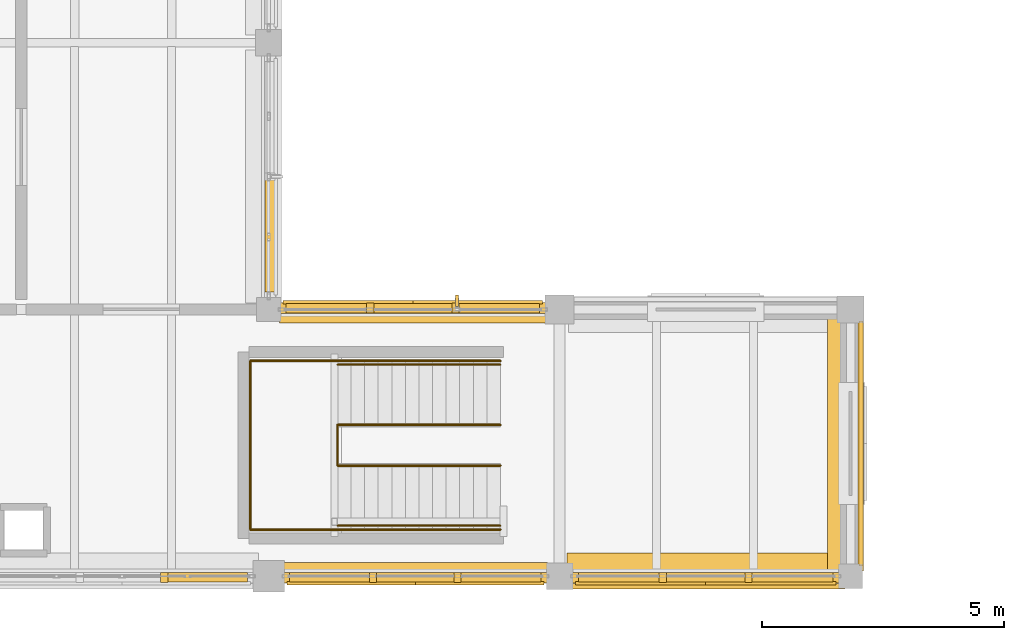
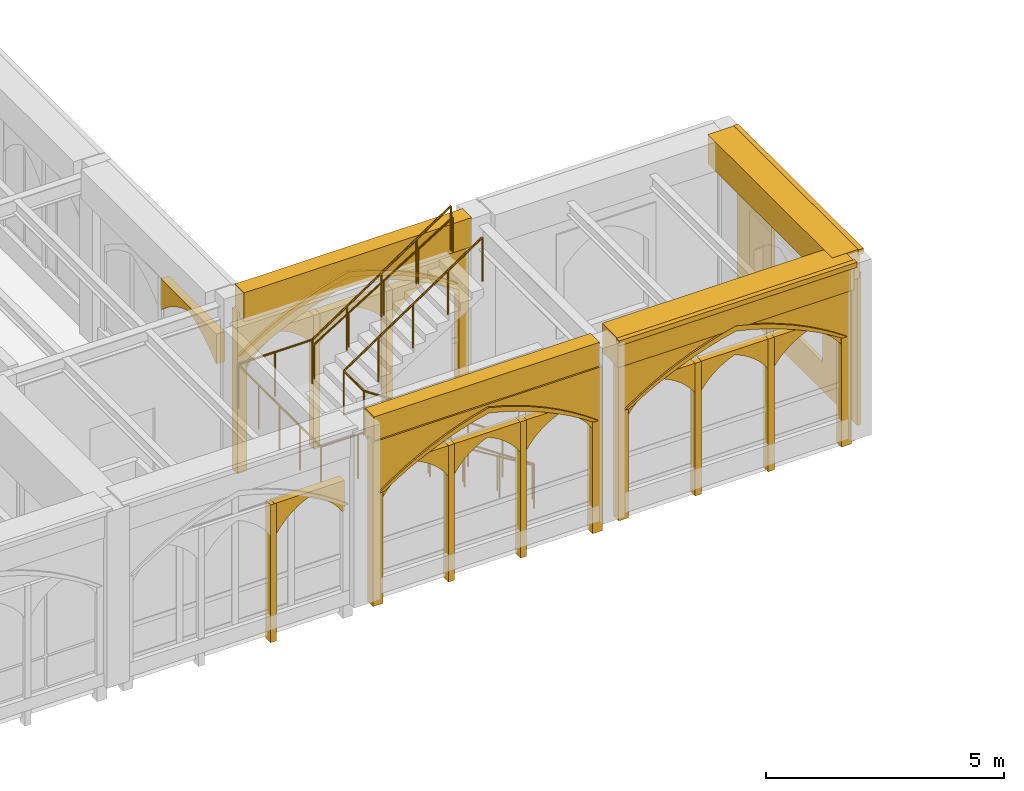
# One storey, part 107 of 127: 31 coverings, 6 railings, 1 shading device.
"""IFC4 building model written with IfcOpenShell, lengths in metres."""

from ifc_helpers import new_model, si_unit, direction, frame, origin, origin_2d, place, context, subcontext, project, spatial, polyline, rectangle, circle, outline, extrude, material, type_object, element, save


model = new_model("IFC4")

# Units and contexts
model_context = context("Model", 3, precision=1e-05, world=origin(), true_north=direction((0.0, 1.0)))
body_context = subcontext(model_context, "Body", "Model", "MODEL_VIEW")
ifc_project = project(units=[si_unit("LENGTHUNIT", "METRE"), si_unit("AREAUNIT", "SQUARE_METRE"), si_unit("VOLUMEUNIT", "CUBIC_METRE"), si_unit("PLANEANGLEUNIT", "RADIAN"), si_unit("MASSUNIT", "GRAM", prefix="KILO")], contexts=[model_context])

# Site, building, storey
site_placement = place(None, origin())
site = spatial("IfcSite", under=ifc_project, at=site_placement, CompositionType="ELEMENT")
building_placement = place(site_placement, origin())
building = spatial("IfcBuilding", under=site, at=building_placement, Name="Cumevento Cable Car Station", CompositionType="ELEMENT")
storey_placement = place(building_placement, frame((0.0, 0.0, 4.5)))
storey = spatial("IfcBuildingStorey", under=building, at=storey_placement, Name="L02", CompositionType="ELEMENT", Elevation=4.5)

# Railings
ifc_material_1 = material(Name="Painted Galvanised Architectural Steel", Category="steel")
railing_type_1 = type_object("IfcRailingType", Name="Stair Guardrail GR-S115", PredefinedType="GUARDRAIL", material=ifc_material_1)
railing_1_placement = place(storey_placement, frame((74.780029296875, 6.280029296875, 0.0)))
element("IfcRailing", 1, at=railing_1_placement, inside=storey, type_object=railing_type_1, Name="Stair Well Inner Guardrail ST-08", PredefinedType="GUARDRAIL", context=body_context, shape_type="SweptSolid", body=[
    extrude(circle(Radius=0.02392578125, at=origin_2d()), frame((0.0, 0.0, 1.1259765625), z_axis=(-0.830915400975, 0.0, 0.556398774641), x_axis=(0.0, -1.0, 0.0)), (0.0, 0.0, 1.0), 4.0439453125),
    extrude(circle(Radius=0.02392578125, at=origin_2d()), frame((-3.360107421875, 0.0, 3.3759765625), z_axis=(0.0, 1.0, 0.0), x_axis=(-1.0, 0.0, 0.0)), (0.0, 0.0, 1.0), 0.840087890625),
    extrude(circle(Radius=0.02392578125, at=origin_2d()), frame((-3.360107421875, 0.840087890625, 3.3759765625), z_axis=(0.830915400975, 0.0, 0.556398774641), x_axis=(0.0, 1.0, 0.0)), (0.0, 0.0, 1.0), 4.0439453125),
    extrude(circle(Radius=0.02001953125, at=origin_2d()), origin(), (0.0, 0.0, 1.0), 1.101806640625),
    extrude(circle(Radius=0.02001953125, at=origin_2d()), frame((-0.840087890625, 0.0, 0.5625)), (0.0, 0.0, 1.0), 1.101806640625),
    extrude(circle(Radius=0.02001953125, at=origin_2d()), frame((-1.68017578125, 0.0, 1.125)), (0.0, 0.0, 1.0), 1.101806640625),
    extrude(circle(Radius=0.02001953125, at=origin_2d()), frame((-2.52001953125, 0.0, 1.6875)), (0.0, 0.0, 1.0), 1.101806640625),
    extrude(circle(Radius=0.02001953125, at=origin_2d()), frame((-3.360107421875, 0.0, 2.25)), (0.0, 0.0, 1.0), 1.101806640625),
    extrude(circle(Radius=0.02001953125, at=origin_2d()), frame((-3.360107421875, 0.840087890625, 2.25)), (0.0, 0.0, 1.0), 1.101806640625),
    extrude(circle(Radius=0.02001953125, at=origin_2d()), frame((-2.52001953125, 0.840087890625, 2.8125)), (0.0, 0.0, 1.0), 1.101806640625),
    extrude(circle(Radius=0.02001953125, at=origin_2d()), frame((-1.68017578125, 0.840087890625, 3.375)), (0.0, 0.0, 1.0), 1.101806640625),
    extrude(circle(Radius=0.02001953125, at=origin_2d()), frame((-0.840087890625, 0.840087890625, 3.9375)), (0.0, 0.0, 1.0), 1.101806640625),
    extrude(circle(Radius=0.02001953125, at=origin_2d()), frame((0.0, 0.840087890625, 4.5)), (0.0, 0.0, 1.0), 1.101806640625),
])
railing_2_placement = place(storey_placement, frame((71.419921875, 4.9599609375, 2.25)))
element("IfcRailing", 2, at=railing_2_placement, inside=storey, type_object=railing_type_1, Name="Stair Half-Landing Guardrail ST-08", PredefinedType="GUARDRAIL", context=body_context, shape_type="SweptSolid", body=[
    extrude(circle(Radius=0.02392578125, at=origin_2d()), frame((0.0, 0.0, 1.1259765625), z_axis=(-1.0, 0.0, 0.0), x_axis=(0.0, -1.0, 0.0)), (0.0, 0.0, 1.0), 1.7998046875),
    extrude(circle(Radius=0.02392578125, at=origin_2d()), frame((-1.7998046875, 0.0, 1.1259765625), z_axis=(0.0, 1.0, 0.0), x_axis=(-1.0, 0.0, 0.0)), (0.0, 0.0, 1.0), 3.47998046875),
    extrude(circle(Radius=0.02392578125, at=origin_2d()), frame((-1.7998046875, 3.47998046875, 1.1259765625), z_axis=(1.0, 0.0, 0.0), x_axis=(0.0, 1.0, 0.0)), (0.0, 0.0, 1.0), 1.7998046875),
    extrude(circle(Radius=0.02001953125, at=origin_2d()), origin(), (0.0, 0.0, 1.0), 1.101806640625),
    extrude(circle(Radius=0.02001953125, at=origin_2d()), frame((-0.89990234375, 0.0, 0.0)), (0.0, 0.0, 1.0), 1.101806640625),
    extrude(circle(Radius=0.02001953125, at=origin_2d()), frame((-1.7998046875, 0.0, 0.0)), (0.0, 0.0, 1.0), 1.101806640625),
    extrude(circle(Radius=0.02001953125, at=origin_2d()), frame((-1.7998046875, 0.8701171875, 0.0)), (0.0, 0.0, 1.0), 1.101806640625),
    extrude(circle(Radius=0.02001953125, at=origin_2d()), frame((-1.7998046875, 1.739990234375, 0.0)), (0.0, 0.0, 1.0), 1.101806640625),
    extrude(circle(Radius=0.02001953125, at=origin_2d()), frame((-1.7998046875, 2.60986328125, 0.0)), (0.0, 0.0, 1.0), 1.101806640625),
    extrude(circle(Radius=0.02001953125, at=origin_2d()), frame((-1.7998046875, 3.47998046875, 0.0)), (0.0, 0.0, 1.0), 1.101806640625),
    extrude(circle(Radius=0.02001953125, at=origin_2d()), frame((-0.89990234375, 3.47998046875, 0.0)), (0.0, 0.0, 1.0), 1.101806640625),
    extrude(circle(Radius=0.02001953125, at=origin_2d()), frame((0.0, 3.47998046875, 0.0)), (0.0, 0.0, 1.0), 1.101806640625),
])
railing_3_placement = place(storey_placement, frame((74.780029296875, 4.9599609375, 0.0)))
element("IfcRailing", 3, at=railing_3_placement, inside=storey, type_object=railing_type_1, Name="Stair Outer Guardrail ST-08 F1", PredefinedType="GUARDRAIL", context=body_context, shape_type="SweptSolid", body=[
    extrude(circle(Radius=0.02392578125, at=origin_2d()), frame((0.0, 0.0, 1.1259765625), z_axis=(-0.830915400975, 0.0, 0.556398774641), x_axis=(0.0, -1.0, 0.0)), (0.0, 0.0, 1.0), 4.0439453125),
    extrude(circle(Radius=0.02001953125, at=origin_2d()), origin(), (0.0, 0.0, 1.0), 1.101806640625),
    extrude(circle(Radius=0.02001953125, at=origin_2d()), frame((-0.840087890625, 0.0, 0.5625)), (0.0, 0.0, 1.0), 1.101806640625),
    extrude(circle(Radius=0.02001953125, at=origin_2d()), frame((-1.68017578125, 0.0, 1.125)), (0.0, 0.0, 1.0), 1.101806640625),
    extrude(circle(Radius=0.02001953125, at=origin_2d()), frame((-2.52001953125, 0.0, 1.6875)), (0.0, 0.0, 1.0), 1.101806640625),
    extrude(circle(Radius=0.02001953125, at=origin_2d()), frame((-3.360107421875, 0.0, 2.25)), (0.0, 0.0, 1.0), 1.101806640625),
])
railing_4_placement = place(storey_placement, frame((71.419921875, 8.43994140625, 2.25)))
element("IfcRailing", 4, at=railing_4_placement, inside=storey, type_object=railing_type_1, Name="Stair Outer Guardrail ST-08 F2", PredefinedType="GUARDRAIL", context=body_context, shape_type="SweptSolid", body=[
    extrude(circle(Radius=0.02392578125, at=origin_2d()), frame((0.0, 0.0, 1.1259765625), z_axis=(0.830915400975, 0.0, 0.556398774641), x_axis=(0.0, 1.0, 0.0)), (0.0, 0.0, 1.0), 4.0439453125),
    extrude(circle(Radius=0.02001953125, at=origin_2d()), origin(), (0.0, 0.0, 1.0), 1.101806640625),
    extrude(circle(Radius=0.02001953125, at=origin_2d()), frame((0.840087890625, 0.0, 0.5625)), (0.0, 0.0, 1.0), 1.101806640625),
    extrude(circle(Radius=0.02001953125, at=origin_2d()), frame((1.68017578125, 0.0, 1.125)), (0.0, 0.0, 1.0), 1.101806640625),
    extrude(circle(Radius=0.02001953125, at=origin_2d()), frame((2.52001953125, 0.0, 1.6875)), (0.0, 0.0, 1.0), 1.101806640625),
    extrude(circle(Radius=0.02001953125, at=origin_2d()), frame((3.360107421875, 0.0, 2.25)), (0.0, 0.0, 1.0), 1.101806640625),
])
ifc_material_2 = material(Name="Brushed Stainless Steel Handrail Tube", Category="steel")
railing_type_2 = type_object("IfcRailingType", Name="Stair Handrail HR-090", PredefinedType="HANDRAIL", material=ifc_material_2)
railing_5_placement = place(storey_placement, frame((74.780029296875, 5.0400390625, 0.17626953125)))
element("IfcRailing", 5, at=railing_5_placement, inside=storey, type_object=railing_type_2, Name="Stair Pitch Handrail ST-08 F1", PredefinedType="HANDRAIL", context=body_context, shape_type="SweptSolid", body=[
    extrude(circle(Radius=0.02099609375, at=origin_2d()), frame((0.0, 0.0, 0.87890625), z_axis=(-0.850623216509, 0.0, 0.525775754039), x_axis=(0.0, -1.0, 0.0)), (0.0, 0.0, 1.0), 3.9501953125),
    extrude(circle(Radius=0.01611328125, at=origin_2d()), origin(), (0.0, 0.0, 1.0), 0.85791015625),
    extrude(circle(Radius=0.01611328125, at=origin_2d()), frame((-0.840087890625, 0.0, 0.519287109375)), (0.0, 0.0, 1.0), 0.85791015625),
    extrude(circle(Radius=0.01611328125, at=origin_2d()), frame((-1.68017578125, 0.0, 1.03857421875)), (0.0, 0.0, 1.0), 0.85791015625),
    extrude(circle(Radius=0.01611328125, at=origin_2d()), frame((-2.52001953125, 0.0, 1.5576171875)), (0.0, 0.0, 1.0), 0.85791015625),
    extrude(circle(Radius=0.01611328125, at=origin_2d()), frame((-3.360107421875, 0.0, 2.076904296875)), (0.0, 0.0, 1.0), 0.85791015625),
])
railing_6_placement = place(storey_placement, frame((71.419921875, 8.360107421875, 2.42626953125)))
element("IfcRailing", 6, at=railing_6_placement, inside=storey, type_object=railing_type_2, Name="Stair Pitch Handrail ST-08 F2", PredefinedType="HANDRAIL", context=body_context, shape_type="SweptSolid", body=[
    extrude(circle(Radius=0.02099609375, at=origin_2d()), frame((0.0, 0.0, 0.87890625), z_axis=(0.850623216509, 0.0, 0.525775754039), x_axis=(0.0, 1.0, 0.0)), (0.0, 0.0, 1.0), 3.9501953125),
    extrude(circle(Radius=0.01611328125, at=origin_2d()), origin(), (0.0, 0.0, 1.0), 0.85791015625),
    extrude(circle(Radius=0.01611328125, at=origin_2d()), frame((0.840087890625, 0.0, 0.519287109375)), (0.0, 0.0, 1.0), 0.85791015625),
    extrude(circle(Radius=0.01611328125, at=origin_2d()), frame((1.68017578125, 0.0, 1.03857421875)), (0.0, 0.0, 1.0), 0.85791015625),
    extrude(circle(Radius=0.01611328125, at=origin_2d()), frame((2.52001953125, 0.0, 1.5576171875)), (0.0, 0.0, 1.0), 0.85791015625),
    extrude(circle(Radius=0.01611328125, at=origin_2d()), frame((3.360107421875, 0.0, 2.076904296875)), (0.0, 0.0, 1.0), 0.85791015625),
])

# Shading device
ifc_material_3 = material(Name="Anodised Bronze Aluminium AW-6063-T6", Category="aluminium")
shading_device_type = type_object("IfcShadingDeviceType", Name="Bronze Lancet Brise-Soleil BS-01", PredefinedType="JALOUSIE", material=ifc_material_3)
shading_device_placement = place(storey_placement, frame((73.88330078125, 9.679931640625, 0.4599609375), z_axis=(0.0, 0.0, 1.0), x_axis=(1.0, 0.0, 0.0)))
element("IfcShadingDevice", 7, at=shading_device_placement, inside=storey, type_object=shading_device_type, Name="Bronze Lancet Solar Fin #19", PredefinedType="JALOUSIE", context=body_context, shape_type="SweptSolid", body=[
    extrude(rectangle(XDim=0.054931640625, YDim=0.239990234375, at=origin_2d()), origin(), (0.0, 0.0, 1.0), 3.373046875),
])

# Coverings
ifc_material_4 = material(Name="Gnaisse Facoidal Stone Ashlar 85 MPa", Category="masonry")
covering_type = type_object("IfcCoveringType", Name="Gnaisse Ashlar Cladding CV-CL01", PredefinedType="CLADDING", material=ifc_material_4)
covering_1_placement = place(storey_placement, frame((73.02490234375, 4.090087890625, 3.796875), z_axis=(0.0, 0.0, 1.0), x_axis=(-1.0, 0.0, 0.0)))
element("IfcCovering", 8, at=covering_1_placement, inside=storey, type_object=covering_type, Name="Gothic Stone Spandrel Stringcourse sc:0305", PredefinedType="CLADDING", context=body_context, shape_type="SweptSolid", body=[
    extrude(rectangle(XDim=5.4599609375, YDim=0.3798828125, at=origin_2d()), origin(), (0.0, 0.0, 1.0), 0.7470703125),
])
covering_2_placement = place(storey_placement, frame((79.012451171875, 4.14990234375, 3.796875), z_axis=(0.0, 0.0, 1.0), x_axis=(-1.0, 0.0, 0.0)))
element("IfcCovering", 9, at=covering_2_placement, inside=storey, type_object=covering_type, Name="Gothic Stone Spandrel Stringcourse sc:0306", PredefinedType="CLADDING", context=body_context, shape_type="SweptSolid", body=[
    extrude(rectangle(XDim=5.715087890625, YDim=0.659912109375, at=origin_2d()), origin(), (0.0, 0.0, 1.0), 0.7470703125),
])
covering_3_placement = place(storey_placement, frame((79.012451171875, 3.79248046875, 4.4140625), z_axis=(0.0, 0.0, 1.0), x_axis=(-1.0, 0.0, 0.0)))
element("IfcCovering", 10, at=covering_3_placement, inside=storey, type_object=covering_type, Name="Gothic Cornice Dripstone Lip sc:0306", PredefinedType="CLADDING", context=body_context, shape_type="SweptSolid", body=[
    extrude(rectangle(XDim=5.7548828125, YDim=0.114990234375, at=origin_2d()), origin(), (0.0, 0.0, 1.0), 0.1298828125),
])
covering_4_placement = place(storey_placement, frame((72.97509765625, 9.409912109375, 3.77294921875), z_axis=(0.0, 0.0, 1.0), x_axis=(1.0, 0.0, 0.0)))
element("IfcCovering", 11, at=covering_4_placement, inside=storey, type_object=covering_type, Name="Gothic Stone Spandrel Stringcourse sc:0309", PredefinedType="CLADDING", context=body_context, shape_type="SweptSolid", body=[
    extrude(rectangle(XDim=5.510009765625, YDim=0.3798828125, at=origin_2d()), origin(), (0.0, 0.0, 1.0), 0.7470703125),
])
covering_5_placement = place(storey_placement, frame((81.85009765625, 6.737548828125, 3.796875), z_axis=(0.0, 0.0, 1.0), x_axis=(0.0, -1.0, 0.0)))
element("IfcCovering", 12, at=covering_5_placement, inside=storey, type_object=covering_type, Name="Gothic Stone Spandrel Stringcourse sc:0311", PredefinedType="CLADDING", context=body_context, shape_type="SweptSolid", body=[
    extrude(rectangle(XDim=5.215087890625, YDim=0.659912109375, at=origin_2d()), origin(), (0.0, 0.0, 1.0), 0.7470703125),
])
covering_6_placement = place(storey_placement, frame((82.20751953125, 6.737548828125, 4.4140625), z_axis=(0.0, 0.0, 1.0), x_axis=(0.0, -1.0, 0.0)))
element("IfcCovering", 13, at=covering_6_placement, inside=storey, type_object=covering_type, Name="Gothic Cornice Dripstone Lip sc:0311", PredefinedType="CLADDING", context=body_context, shape_type="SweptSolid", body=[
    extrude(rectangle(XDim=5.2548828125, YDim=0.114990234375, at=origin_2d()), origin(), (0.0, 0.0, 1.0), 0.1298828125),
])
covering_7_placement = place(storey_placement, frame((69.675048828125, 4.0, -0.320068359375), z_axis=(0.0, 0.0, 1.0), x_axis=(-1.0, 0.0, 0.0)))
element("IfcCovering", 14, at=covering_7_placement, inside=storey, type_object=covering_type, Name="Gothic Bifora Stone Colonnette cw_ogival:0028 #1", PredefinedType="CLADDING", context=body_context, shape_type="SweptSolid", body=[
    extrude(outline(polyline([(1.75341796875, -0.02001953125), (1.9033203125, -0.02001953125), (1.9033203125, 3.51025390625), (1.75341796875, 3.51025390625), (1.75341796875, -0.02001953125)])), frame((0.0, 0.1279296875, 0.0), z_axis=(0.0, -1.0, 0.0), x_axis=(1.0, 0.0, 0.0)), (0.0, 0.0, 1.0), 0.205078125),
])
covering_8_placement = place(storey_placement, frame((69.544921875, 4.0, 2.418212890625), z_axis=(0.0, 0.0, 1.0), x_axis=(-1.0, 0.0, 0.0)))
element("IfcCovering", 15, at=covering_8_placement, inside=storey, type_object=covering_type, Name="Gothic Ogival Pointed-Arch Stone Spandrel cw_ogival:0028:sub:0", PredefinedType="CLADDING", context=body_context, shape_type="SweptSolid", body=[
    extrude(outline(polyline([(-0.02001953125, 0.0), (-0.02001953125, 0.772216796875), (1.67333984375, 0.772216796875), (1.67333984375, 0.0), (1.61328125, 0.0), (1.513671875, 0.1416015625), (1.399658203125, 0.271728515625), (1.2724609375, 0.38916015625), (1.13330078125, 0.492431640625), (0.984375, 0.58056640625), (0.82666015625, 0.652099609375), (0.6689453125, 0.58056640625), (0.52001953125, 0.492431640625), (0.380859375, 0.38916015625), (0.253662109375, 0.271728515625), (0.1396484375, 0.1416015625), (0.0400390625, 0.0), (-0.02001953125, 0.0)])), frame((0.0, 0.1240234375, 0.0), z_axis=(0.0, -1.0, 0.0), x_axis=(1.0, 0.0, 0.0)), (0.0, 0.0, 1.0), 0.199951171875),
])
placement_1 = place(storey_placement, frame((75.72509765625, 4.0, -0.27001953125), z_axis=(0.0, 0.0, 1.0), x_axis=(-1.0, 0.0, 0.0)))
element("IfcCovering", 16, at=placement_1, inside=storey, type_object=covering_type, Name="Gothic Ogival Pointed-Arch Stone Spandrel cw_ogival:0029", PredefinedType="CLADDING", context=body_context, shape_type="SweptSolid", body=[
    extrude(outline(polyline([(-0.080078125, 0.0), (-0.080078125, 4.20703125), (5.47998046875, 4.20703125), (5.47998046875, 0.0), (5.239990234375, 0.0), (5.239990234375, 2.885986328125), (4.948486328125, 3.078125), (4.648193359375, 3.256103515625), (4.339599609375, 3.419921875), (4.023681640625, 3.568115234375), (3.700927734375, 3.701416015625), (3.372314453125, 3.819091796875), (3.038330078125, 3.92138671875), (2.699951171875, 4.0068359375), (2.361572265625, 3.92138671875), (2.027587890625, 3.819091796875), (1.698974609375, 3.701416015625), (1.376220703125, 3.568115234375), (1.060302734375, 3.419921875), (0.751708984375, 3.256103515625), (0.451416015625, 3.078125), (0.159912109375, 2.885986328125), (0.159912109375, 0.0), (-0.080078125, 0.0)])), frame((0.0, 0.139892578125, 0.0), z_axis=(0.0, -1.0, 0.0), x_axis=(1.0, 0.0, 0.0)), (0.0, 0.0, 1.0), 0.219970703125),
])
covering_10_placement = place(storey_placement, frame((75.72509765625, 4.0, 2.6162109375), z_axis=(0.0, 0.0, 1.0), x_axis=(-1.0, 0.0, 0.0)))
element("IfcCovering", 17, at=covering_10_placement, inside=storey, type_object=covering_type, Name="Gothic Pointed Archivolt Hood Moulding cw_ogival:0029", PredefinedType="CLADDING", context=body_context, shape_type="SweptSolid", body=[
    extrude(outline(polyline([(0.159912109375, 0.0), (0.451416015625, 0.192138671875), (0.751708984375, 0.3701171875), (1.060302734375, 0.53369140625), (1.376220703125, 0.68212890625), (1.698974609375, 0.8154296875), (2.027587890625, 0.93310546875), (2.361572265625, 1.03515625), (2.699951171875, 1.120849609375), (3.038330078125, 1.03515625), (3.372314453125, 0.93310546875), (3.700927734375, 0.8154296875), (4.023681640625, 0.68212890625), (4.339599609375, 0.53369140625), (4.648193359375, 0.3701171875), (4.948486328125, 0.192138671875), (5.239990234375, 0.0), (5.35009765625, 0.0), (5.0498046875, 0.215087890625), (4.739013671875, 0.41455078125), (4.418701171875, 0.597900390625), (4.08935546875, 0.764892578125), (3.751953125, 0.91455078125), (3.4072265625, 1.047119140625), (3.05615234375, 1.16162109375), (2.699951171875, 1.25830078125), (2.34375, 1.16162109375), (1.99267578125, 1.047119140625), (1.64794921875, 0.91455078125), (1.310546875, 0.764892578125), (0.981201171875, 0.597900390625), (0.660888671875, 0.41455078125), (0.35009765625, 0.215087890625), (0.050048828125, 0.0), (0.159912109375, 0.0)])), frame((0.0, 0.181884765625, 0.0), z_axis=(0.0, -1.0, 0.0), x_axis=(1.0, 0.0, 0.0)), (0.0, 0.0, 1.0), 0.06689453125),
])
element("IfcCovering", 18, at=placement_1, inside=storey, type_object=covering_type, Name="Gothic Bifora Stone Colonnette cw_ogival:0029 #1", PredefinedType="CLADDING", context=body_context, shape_type="SweptSolid", body=[
    extrude(outline(polyline([(1.75341796875, -0.02001953125), (1.9033203125, -0.02001953125), (1.9033203125, 3.468994140625), (1.75341796875, 3.468994140625), (1.75341796875, -0.02001953125)])), frame((0.0, 0.1279296875, 0.0), z_axis=(0.0, -1.0, 0.0), x_axis=(1.0, 0.0, 0.0)), (0.0, 0.0, 1.0), 0.205078125),
])
element("IfcCovering", 19, at=placement_1, inside=storey, type_object=covering_type, Name="Gothic Bifora Stone Colonnette cw_ogival:0029 #2", PredefinedType="CLADDING", context=body_context, shape_type="SweptSolid", body=[
    extrude(outline(polyline([(3.49658203125, -0.02001953125), (3.646728515625, -0.02001953125), (3.646728515625, 3.468994140625), (3.49658203125, 3.468994140625), (3.49658203125, -0.02001953125)])), frame((0.0, 0.1279296875, 0.0), z_axis=(0.0, -1.0, 0.0), x_axis=(1.0, 0.0, 0.0)), (0.0, 0.0, 1.0), 0.205078125),
])
for number, where, z_axis, x_axis, name in (
    (20, (75.594970703125, 4.0, 2.43603515625), (0.0, 0.0, 1.0), (-1.0, 0.0, 0.0), "Gothic Ogival Pointed-Arch Stone Spandrel cw_ogival:0029:sub:0"),
    (21, (73.8515625, 4.0, 2.43603515625), (0.0, 0.0, 1.0), (-1.0, 0.0, 0.0), "Gothic Ogival Pointed-Arch Stone Spandrel cw_ogival:0029:sub:1"),
    (22, (72.1083984375, 4.0, 2.43603515625), (0.0, 0.0, 1.0), (-1.0, 0.0, 0.0), "Gothic Ogival Pointed-Arch Stone Spandrel cw_ogival:0029:sub:2"),
):
    element("IfcCovering", number, at=place(storey_placement, frame(where, z_axis=z_axis, x_axis=x_axis)), inside=storey, type_object=covering_type, Name=name, PredefinedType="CLADDING", context=body_context, shape_type="SweptSolid", body=[
        extrude(outline(polyline([(-0.02001953125, 0.0), (-0.02001953125, 0.762939453125), (1.67333984375, 0.762939453125), (1.67333984375, 0.0), (1.61328125, 0.0), (1.512939453125, 0.1396484375), (1.3984375, 0.268310546875), (1.27099609375, 0.384033203125), (1.13232421875, 0.485595703125), (0.983642578125, 0.572265625), (0.82666015625, 0.642822265625), (0.669677734375, 0.572265625), (0.52099609375, 0.485595703125), (0.38232421875, 0.384033203125), (0.2548828125, 0.268310546875), (0.140380859375, 0.1396484375), (0.0400390625, 0.0), (-0.02001953125, 0.0)])), frame((0.0, 0.1240234375, 0.0), z_axis=(0.0, -1.0, 0.0), x_axis=(1.0, 0.0, 0.0)), (0.0, 0.0, 1.0), 0.199951171875),
    ])
placement_2 = place(storey_placement, frame((70.25, 9.5, -0.219970703125), z_axis=(0.0, 0.0, 1.0), x_axis=(1.0, 0.0, 0.0)))
element("IfcCovering", 23, at=placement_2, inside=storey, type_object=covering_type, Name="Gothic Ogival Pointed-Arch Stone Spandrel cw_ogival:0030", PredefinedType="CLADDING", context=body_context, shape_type="SweptSolid", body=[
    extrude(outline(polyline([(-0.080078125, 0.0), (-0.080078125, 4.133056640625), (5.530029296875, 4.133056640625), (5.530029296875, 0.0), (5.2900390625, 0.0), (5.2900390625, 2.838623046875), (4.993896484375, 3.0263671875), (4.689697265625, 3.200439453125), (4.37744140625, 3.360107421875), (4.058349609375, 3.505126953125), (3.73291015625, 3.635009765625), (3.401611328125, 3.75), (3.0654296875, 3.849365234375), (2.72509765625, 3.932861328125), (2.384521484375, 3.849365234375), (2.04833984375, 3.75), (1.717041015625, 3.635009765625), (1.3916015625, 3.505126953125), (1.072509765625, 3.360107421875), (0.76025390625, 3.200439453125), (0.4560546875, 3.0263671875), (0.159912109375, 2.838623046875), (0.159912109375, 0.0), (-0.080078125, 0.0)])), frame((0.0, 0.139892578125, 0.0), z_axis=(0.0, -1.0, 0.0), x_axis=(1.0, 0.0, 0.0)), (0.0, 0.0, 1.0), 0.219970703125),
])
covering_14_placement = place(storey_placement, frame((70.25, 9.5, 2.61865234375), z_axis=(0.0, 0.0, 1.0), x_axis=(1.0, 0.0, 0.0)))
element("IfcCovering", 24, at=covering_14_placement, inside=storey, type_object=covering_type, Name="Gothic Pointed Archivolt Hood Moulding cw_ogival:0030", PredefinedType="CLADDING", context=body_context, shape_type="SweptSolid", body=[
    extrude(outline(polyline([(0.159912109375, 0.0), (0.4560546875, 0.187744140625), (0.76025390625, 0.36181640625), (1.072509765625, 0.521484375), (1.3916015625, 0.66650390625), (1.717041015625, 0.79638671875), (2.04833984375, 0.911376953125), (2.384521484375, 1.0107421875), (2.72509765625, 1.09423828125), (3.0654296875, 1.0107421875), (3.401611328125, 0.911376953125), (3.73291015625, 0.79638671875), (4.058349609375, 0.66650390625), (4.37744140625, 0.521484375), (4.689697265625, 0.36181640625), (4.993896484375, 0.187744140625), (5.2900390625, 0.0), (5.39990234375, 0.0), (5.09521484375, 0.210693359375), (4.780517578125, 0.40625), (4.456298828125, 0.585693359375), (4.123779296875, 0.7490234375), (3.783447265625, 0.895751953125), (3.436279296875, 1.025146484375), (3.083251953125, 1.13720703125), (2.72509765625, 1.231689453125), (2.36669921875, 1.13720703125), (2.013671875, 1.025146484375), (1.66650390625, 0.895751953125), (1.326171875, 0.7490234375), (0.99365234375, 0.585693359375), (0.66943359375, 0.40625), (0.354736328125, 0.210693359375), (0.050048828125, 0.0), (0.159912109375, 0.0)])), frame((0.0, 0.181884765625, 0.0), z_axis=(0.0, -1.0, 0.0), x_axis=(1.0, 0.0, 0.0)), (0.0, 0.0, 1.0), 0.06689453125),
])
element("IfcCovering", 25, at=placement_2, inside=storey, type_object=covering_type, Name="Gothic Bifora Stone Colonnette cw_ogival:0030 #1", PredefinedType="CLADDING", context=body_context, shape_type="SweptSolid", body=[
    extrude(outline(polyline([(1.77001953125, -0.02001953125), (1.919921875, -0.02001953125), (1.919921875, 3.40771484375), (1.77001953125, 3.40771484375), (1.77001953125, -0.02001953125)])), frame((0.0, 0.1279296875, 0.0), z_axis=(0.0, -1.0, 0.0), x_axis=(1.0, 0.0, 0.0)), (0.0, 0.0, 1.0), 0.205078125),
])
element("IfcCovering", 26, at=placement_2, inside=storey, type_object=covering_type, Name="Gothic Bifora Stone Colonnette cw_ogival:0030 #2", PredefinedType="CLADDING", context=body_context, shape_type="SweptSolid", body=[
    extrude(outline(polyline([(3.530029296875, -0.02001953125), (3.679931640625, -0.02001953125), (3.679931640625, 3.40771484375), (3.530029296875, 3.40771484375), (3.530029296875, -0.02001953125)])), frame((0.0, 0.1279296875, 0.0), z_axis=(0.0, -1.0, 0.0), x_axis=(1.0, 0.0, 0.0)), (0.0, 0.0, 1.0), 0.205078125),
])
for number, where, z_axis, x_axis, name in (
    (27, (70.3798828125, 9.5, 2.438720703125), (0.0, 0.0, 1.0), (1.0, 0.0, 0.0), "Gothic Ogival Pointed-Arch Stone Spandrel cw_ogival:0030:sub:0"),
    (28, (72.139892578125, 9.5, 2.438720703125), (0.0, 0.0, 1.0), (1.0, 0.0, 0.0), "Gothic Ogival Pointed-Arch Stone Spandrel cw_ogival:0030:sub:1"),
    (29, (73.89990234375, 9.5, 2.438720703125), (0.0, 0.0, 1.0), (1.0, 0.0, 0.0), "Gothic Ogival Pointed-Arch Stone Spandrel cw_ogival:0030:sub:2"),
):
    element("IfcCovering", number, at=place(storey_placement, frame(where, z_axis=z_axis, x_axis=x_axis)), inside=storey, type_object=covering_type, Name=name, PredefinedType="CLADDING", context=body_context, shape_type="SweptSolid", body=[
        extrude(outline(polyline([(-0.02001953125, 0.0), (-0.02001953125, 0.7490234375), (1.68994140625, 0.7490234375), (1.68994140625, 0.0), (1.6298828125, 0.0), (1.52685546875, 0.13720703125), (1.41015625, 0.262939453125), (1.28125, 0.376220703125), (1.141357421875, 0.4755859375), (0.9921875, 0.56005859375), (0.8349609375, 0.62890625), (0.677734375, 0.56005859375), (0.528564453125, 0.4755859375), (0.388671875, 0.376220703125), (0.259765625, 0.262939453125), (0.14306640625, 0.13720703125), (0.0400390625, 0.0), (-0.02001953125, 0.0)])), frame((0.0, 0.1240234375, 0.0), z_axis=(0.0, -1.0, 0.0), x_axis=(1.0, 0.0, 0.0)), (0.0, 0.0, 1.0), 0.199951171875),
    ])
placement_3 = place(storey_placement, frame((81.75, 4.0, -0.159912109375), z_axis=(0.0, 0.0, 1.0), x_axis=(-1.0, 0.0, 0.0)))
element("IfcCovering", 30, at=placement_3, inside=storey, type_object=covering_type, Name="Gothic Ogival Pointed-Arch Stone Spandrel cw_ogival:0031", PredefinedType="CLADDING", context=body_context, shape_type="SweptSolid", body=[
    extrude(outline(polyline([(-0.080078125, 0.0), (-0.080078125, 4.096923828125), (5.554931640625, 4.096923828125), (5.554931640625, 0.0), (5.31494140625, 0.0), (5.31494140625, 2.815673828125), (5.016845703125, 3.00146484375), (4.71044921875, 3.17333984375), (4.396728515625, 3.3310546875), (4.075927734375, 3.474365234375), (3.748779296875, 3.602783203125), (3.41650390625, 3.71630859375), (3.0791015625, 3.814453125), (2.737548828125, 3.89697265625), (2.39599609375, 3.814453125), (2.05859375, 3.71630859375), (1.726318359375, 3.602783203125), (1.399169921875, 3.474365234375), (1.078369140625, 3.3310546875), (0.7646484375, 3.17333984375), (0.458251953125, 3.00146484375), (0.159912109375, 2.815673828125), (0.159912109375, 0.0), (-0.080078125, 0.0)])), frame((0.0, 0.139892578125, 0.0), z_axis=(0.0, -1.0, 0.0), x_axis=(1.0, 0.0, 0.0)), (0.0, 0.0, 1.0), 0.219970703125),
])
covering_18_placement = place(storey_placement, frame((81.75, 4.0, 2.65576171875), z_axis=(0.0, 0.0, 1.0), x_axis=(-1.0, 0.0, 0.0)))
element("IfcCovering", 31, at=covering_18_placement, inside=storey, type_object=covering_type, Name="Gothic Pointed Archivolt Hood Moulding cw_ogival:0031", PredefinedType="CLADDING", context=body_context, shape_type="SweptSolid", body=[
    extrude(outline(polyline([(0.159912109375, 0.0), (0.458251953125, 0.185791015625), (0.7646484375, 0.357666015625), (1.078369140625, 0.515380859375), (1.399169921875, 0.65869140625), (1.726318359375, 0.787109375), (2.05859375, 0.900634765625), (2.39599609375, 0.998779296875), (2.737548828125, 1.081298828125), (3.0791015625, 0.998779296875), (3.41650390625, 0.900634765625), (3.748779296875, 0.787109375), (4.075927734375, 0.65869140625), (4.396728515625, 0.515380859375), (4.71044921875, 0.357666015625), (5.016845703125, 0.185791015625), (5.31494140625, 0.0), (5.425048828125, 0.0), (5.1181640625, 0.208740234375), (4.80126953125, 0.402099609375), (4.475341796875, 0.579833984375), (4.14111328125, 0.741455078125), (3.799560546875, 0.886474609375), (3.451171875, 1.014404296875), (3.096923828125, 1.12548828125), (2.737548828125, 1.21875), (2.378173828125, 1.12548828125), (2.02392578125, 1.014404296875), (1.675537109375, 0.886474609375), (1.333984375, 0.741455078125), (0.999755859375, 0.579833984375), (0.673828125, 0.402099609375), (0.35693359375, 0.208740234375), (0.050048828125, 0.0), (0.159912109375, 0.0)])), frame((0.0, 0.181884765625, 0.0), z_axis=(0.0, -1.0, 0.0), x_axis=(1.0, 0.0, 0.0)), (0.0, 0.0, 1.0), 0.06689453125),
])
element("IfcCovering", 32, at=placement_3, inside=storey, type_object=covering_type, Name="Gothic Bifora Stone Colonnette cw_ogival:0031 #1", PredefinedType="CLADDING", context=body_context, shape_type="SweptSolid", body=[
    extrude(outline(polyline([(1.7783203125, -0.02001953125), (1.92822265625, -0.02001953125), (1.92822265625, 3.3779296875), (1.7783203125, 3.3779296875), (1.7783203125, -0.02001953125)])), frame((0.0, 0.1279296875, 0.0), z_axis=(0.0, -1.0, 0.0), x_axis=(1.0, 0.0, 0.0)), (0.0, 0.0, 1.0), 0.205078125),
])
element("IfcCovering", 33, at=placement_3, inside=storey, type_object=covering_type, Name="Gothic Bifora Stone Colonnette cw_ogival:0031 #2", PredefinedType="CLADDING", context=body_context, shape_type="SweptSolid", body=[
    extrude(outline(polyline([(3.546630859375, -0.02001953125), (3.69677734375, -0.02001953125), (3.69677734375, 3.3779296875), (3.546630859375, 3.3779296875), (3.546630859375, -0.02001953125)])), frame((0.0, 0.1279296875, 0.0), z_axis=(0.0, -1.0, 0.0), x_axis=(1.0, 0.0, 0.0)), (0.0, 0.0, 1.0), 0.205078125),
])
for number, where, z_axis, x_axis, name in (
    (34, (81.6201171875, 4.0, 2.4755859375), (0.0, 0.0, 1.0), (-1.0, 0.0, 0.0), "Gothic Ogival Pointed-Arch Stone Spandrel cw_ogival:0031:sub:0"),
    (35, (79.8515625, 4.0, 2.4755859375), (0.0, 0.0, 1.0), (-1.0, 0.0, 0.0), "Gothic Ogival Pointed-Arch Stone Spandrel cw_ogival:0031:sub:1"),
    (36, (78.083251953125, 4.0, 2.4755859375), (0.0, 0.0, 1.0), (-1.0, 0.0, 0.0), "Gothic Ogival Pointed-Arch Stone Spandrel cw_ogival:0031:sub:2"),
):
    element("IfcCovering", number, at=place(storey_placement, frame(where, z_axis=z_axis, x_axis=x_axis)), inside=storey, type_object=covering_type, Name=name, PredefinedType="CLADDING", context=body_context, shape_type="SweptSolid", body=[
        extrude(outline(polyline([(-0.02001953125, 0.0), (-0.02001953125, 0.7421875), (1.6982421875, 0.7421875), (1.6982421875, 0.0), (1.638427734375, 0.0), (1.53369140625, 0.1357421875), (1.416015625, 0.260498046875), (1.286376953125, 0.372314453125), (1.14599609375, 0.470703125), (0.996337890625, 0.55419921875), (0.839111328125, 0.622314453125), (0.681884765625, 0.55419921875), (0.5322265625, 0.470703125), (0.391845703125, 0.372314453125), (0.26220703125, 0.260498046875), (0.14453125, 0.1357421875), (0.0400390625, 0.0), (-0.02001953125, 0.0)])), frame((0.0, 0.1240234375, 0.0), z_axis=(0.0, -1.0, 0.0), x_axis=(1.0, 0.0, 0.0)), (0.0, 0.0, 1.0), 0.199951171875),
    ])
covering_21_placement = place(storey_placement, frame((70.0, 12.1923828125, 2.420654296875), z_axis=(0.0, 0.0, 1.0), x_axis=(0.0, -1.0, 0.0)))
element("IfcCovering", 37, at=covering_21_placement, inside=storey, type_object=covering_type, Name="Gothic Ogival Pointed-Arch Stone Spandrel cw_ogival:0037:sub:1", PredefinedType="CLADDING", context=body_context, shape_type="SweptSolid", body=[
    extrude(outline(polyline([(-0.02001953125, 0.0), (-0.02001953125, 0.75830078125), (2.33251953125, 0.75830078125), (2.33251953125, 0.0), (2.2724609375, 0.0), (2.109619140625, 0.142333984375), (1.93603515625, 0.271484375), (1.752685546875, 0.38623046875), (1.560791015625, 0.486083984375), (1.361572265625, 0.5703125), (1.15625, 0.638427734375), (0.950927734375, 0.5703125), (0.751708984375, 0.486083984375), (0.559814453125, 0.38623046875), (0.37646484375, 0.271484375), (0.202880859375, 0.142333984375), (0.0400390625, 0.0), (-0.02001953125, 0.0)])), frame((0.0, 0.1240234375, 0.0), z_axis=(0.0, -1.0, 0.0), x_axis=(1.0, 0.0, 0.0)), (0.0, 0.0, 1.0), 0.199951171875),
])
covering_22_placement = place(storey_placement, frame((82.0, 9.22509765625, 0.0), z_axis=(0.0, 0.0, 1.0), x_axis=(0.0, -1.0, 0.0)))
element("IfcCovering", 38, at=covering_22_placement, inside=storey, type_object=covering_type, Name="Exterior Gnaisse Stone Wall Ashlar #180", PredefinedType="CLADDING", context=body_context, shape_type="SweptSolid", body=[
    extrude(outline(polyline([(-0.0400390625, -0.02001953125), (5.014892578125, -0.02001953125), (5.014892578125, 3.876953125), (-0.0400390625, 3.876953125), (-0.0400390625, -0.02001953125)]), holes=[polyline([(1.422607421875, 0.7099609375), (3.552490234375, 0.7099609375), (3.552490234375, 3.090087890625), (1.422607421875, 3.090087890625), (1.422607421875, 0.7099609375)])]), frame((0.0, 0.260009765625, 0.0), z_axis=(0.0, -1.0, 0.0), x_axis=(1.0, 0.0, 0.0)), (0.0, 0.0, 1.0), 0.0849609375),
])

save(model, "model.ifc")
